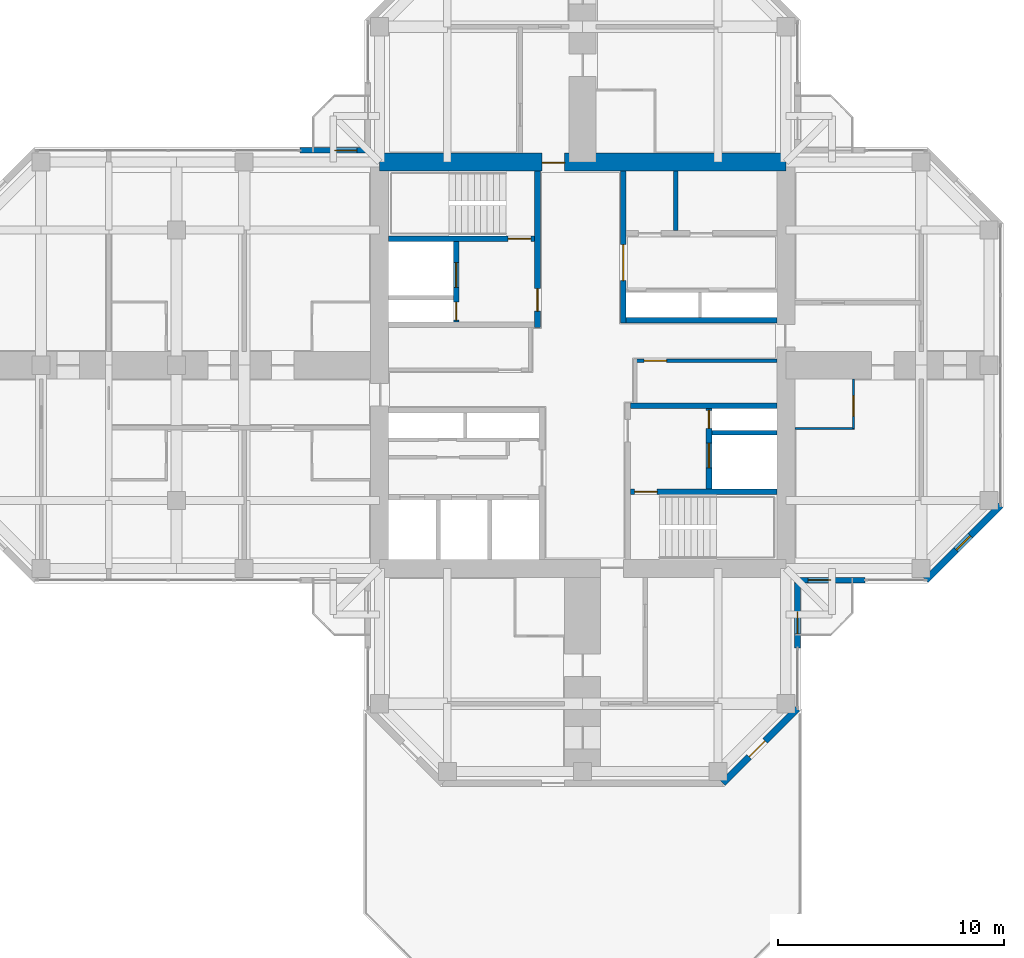
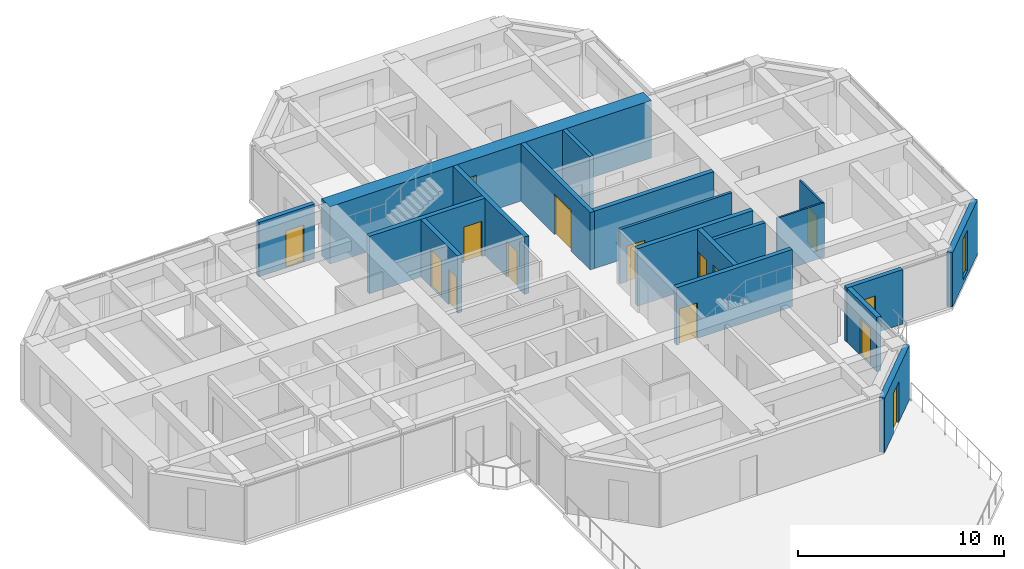
# One storey, part 10 of 14: 19 walls, 15 doors, 1 window, 16 openings.
"""IFC4 building model written with IfcOpenShell, lengths in metres."""

import ifcopenshell
import ifcopenshell.guid

model = None  # the IFC model being written
_history = None  # IfcOwnerHistory: only IFC2X3 demands one
_inside = {}  # id of a spatial element -> (the spatial element, [elements in it])
_under = {}  # id of a project, library or spatial element -> (it, [spatial elements below it])
_declared = {}  # id of a project -> (the project, [libraries it declares])
_typed = {}  # id of a type object -> (the type object, [elements of that type])
_made_of = {}  # id of a material, layer set ... -> (it, [elements and type objects made of it])


def new_model(schema):
    """Start an empty IFC model of exactly this schema.

    Asked for "IFC4X3", IfcOpenShell would pick the latest addendum, in which some entities
    have other attributes; the version numbers below select the first issue.
    IFC2X3 requires an IfcOwnerHistory on every rooted entity: one is made here for all.
    """
    global model, _history
    if schema == "IFC4X3":
        model = ifcopenshell.file(schema_version=(4, 3, 0, 0))
    else:
        model = ifcopenshell.file(schema=schema)
    _inside.clear()
    _under.clear()
    _declared.clear()
    _typed.clear()
    _made_of.clear()
    _history = None
    if model.schema == "IFC2X3":
        org = make("IfcOrganization", Name="unknown")
        user = make(
            "IfcPersonAndOrganization",
            ThePerson=make("IfcPerson", FamilyName="unknown"),
            TheOrganization=org,
        )
        app = make(
            "IfcApplication",
            ApplicationDeveloper=org,
            Version="unknown",
            ApplicationFullName="unknown",
            ApplicationIdentifier="unknown",
        )
        _history = make(
            "IfcOwnerHistory",
            OwningUser=user,
            OwningApplication=app,
            ChangeAction="ADDED",
            CreationDate=0,
        )
    return model


def make(cls, **values):
    """One entity of the class cls with the attributes given. An attribute that is None is left unset."""
    return model.create_entity(
        cls, **{name: value for name, value in values.items() if value is not None}
    )


def rooted(cls, **values):
    """An entity with a GlobalId (a new one), such as an element, a storey or a relation."""
    return make(cls, GlobalId=ifcopenshell.guid.new(), OwnerHistory=_history, **values)


def si_unit(unit_type, name, prefix=None):
    """IfcSIUnit, for example si_unit("LENGTHUNIT", "METRE", prefix="MILLI")."""
    return make("IfcSIUnit", UnitType=unit_type, Prefix=prefix, Name=name)


def assignment(units):
    """IfcUnitAssignment: the units of a project."""
    return None if units is None else make("IfcUnitAssignment", Units=units)


def point(xyz):
    """IfcCartesianPoint."""
    return None if xyz is None else make("IfcCartesianPoint", Coordinates=xyz)


def direction(xyz):
    """IfcDirection."""
    return None if xyz is None else make("IfcDirection", DirectionRatios=xyz)


def frame(location, z_axis=None, x_axis=None):
    """IfcAxis2Placement3D, a coordinate frame: its origin and axes. An axis left out is left unset."""
    return make(
        "IfcAxis2Placement3D",
        Location=point(location),
        Axis=direction(z_axis),
        RefDirection=direction(x_axis),
    )


def frame_2d(location, x_axis=None):
    """IfcAxis2Placement2D, a coordinate frame in the plane: its origin and x axis."""
    return make(
        "IfcAxis2Placement2D", Location=point(location), RefDirection=direction(x_axis)
    )


def origin():
    """The frame at (0, 0, 0) with its axes left unset."""
    return frame((0.0, 0.0, 0.0))


def place(relative_to, where):
    """IfcLocalPlacement: puts the frame where relative to a parent placement (None: the world)."""
    return make(
        "IfcLocalPlacement", PlacementRelTo=relative_to, RelativePlacement=where
    )


def context(
    kind, dimensions, precision=None, world=None, true_north=None, identifier=None
):
    """IfcGeometricRepresentationContext, for example the 3D "Model" context."""
    return make(
        "IfcGeometricRepresentationContext",
        ContextIdentifier=identifier,
        ContextType=kind,
        CoordinateSpaceDimension=dimensions,
        Precision=precision,
        WorldCoordinateSystem=world,
        TrueNorth=true_north,
    )


def subcontext(parent, identifier, kind, view, scale=None):
    """IfcGeometricRepresentationSubContext, for example "Body" below "Model"."""
    return make(
        "IfcGeometricRepresentationSubContext",
        ContextIdentifier=identifier,
        ContextType=kind,
        ParentContext=parent,
        TargetScale=scale,
        TargetView=view,
    )


def project(units=None, contexts=None):
    """IfcProject with its units and contexts."""
    return rooted(
        "IfcProject",
        Name="project",
        RepresentationContexts=contexts,
        UnitsInContext=assignment(units),
    )


def spatial(cls, under=None, at=None, **own):
    """A site, building, storey or space (cls), placed at a placement, below another one or the project."""
    s = rooted(cls, ObjectPlacement=at, **own)
    if under is not None:
        _under.setdefault(under.id(), (under, []))[1].append(s)
    return s


def profile(cls, at=None, kind="AREA", **sizes):
    """A parametric profile (cls). Its sizes go by their IFC names, for example OverallWidth=200.0."""
    return make(cls, ProfileType=kind, Position=at, **sizes)


def rectangle(**sizes):
    """IfcRectangleProfileDef."""
    return profile("IfcRectangleProfileDef", **sizes)


def hollow_rectangle(**sizes):
    """IfcRectangleHollowProfileDef."""
    return profile("IfcRectangleHollowProfileDef", **sizes)


def extrude(swept, where, along, depth):
    """IfcExtrudedAreaSolid: the profile swept, set in the frame where, extruded along a direction by depth."""
    return make(
        "IfcExtrudedAreaSolid",
        SweptArea=swept,
        Position=where,
        ExtrudedDirection=direction(along),
        Depth=depth,
    )


def shape(context_of_items, identifier, shape_type, items):
    """IfcShapeRepresentation: the items that make up one representation, for example the "Body"."""
    return make(
        "IfcShapeRepresentation",
        ContextOfItems=context_of_items,
        RepresentationIdentifier=identifier,
        RepresentationType=shape_type,
        Items=items,
    )


def material(Name=None, Category=None):
    """IfcMaterial."""
    return make("IfcMaterial", Name=Name, Category=Category)


def layer(
    of_material, thickness, ventilated=None, Name=None, Category=None, Priority=None
):
    """IfcMaterialLayer: one layer of a wall or slab, of a material (None: an air gap)."""
    return make(
        "IfcMaterialLayer",
        Material=of_material,
        LayerThickness=thickness,
        IsVentilated=ventilated,
        Name=Name,
        Category=Category,
        Priority=Priority,
    )


def layer_set(layers, Name=None):
    """IfcMaterialLayerSet."""
    return make("IfcMaterialLayerSet", MaterialLayers=layers, LayerSetName=Name)


def constituent(of_material, Name=None, Category=None, fraction=None):
    """IfcMaterialConstituent: one of the materials an element consists of."""
    return make(
        "IfcMaterialConstituent",
        Name=Name,
        Material=of_material,
        Fraction=fraction,
        Category=Category,
    )


def constituent_set(constituents=None, Name=None):
    """IfcMaterialConstituentSet."""
    return make(
        "IfcMaterialConstituentSet", Name=Name, MaterialConstituents=constituents
    )


def made_of(thing, what):
    """Note that an element or type object is made of a material, layer set ...; save() writes the relation."""
    if what is not None:
        _made_of.setdefault(what.id(), (what, []))[1].append(thing)
    return thing


def type_object(cls, material=None, **own):
    """A type object (cls), such as IfcWallType, which elements share."""
    return made_of(rooted(cls, **own), material)


def element(
    cls,
    number,
    at=None,
    inside=None,
    cuts=None,
    type_object=None,
    material=None,
    context=None,
    identifier="Body",
    shape_type=None,
    held_by="IfcProductDefinitionShape",
    body=None,
    shapes=None,
    **own,
):
    """One element of the class cls, such as IfcWall. Its Tag is "e" and its number.

    at: its placement. inside: the storey or other place that contains it. cuts: it is an
    opening in that element (IfcRelVoidsElement). A single representation is given by context,
    identifier, shape_type and body (its items); several are given by shapes. held_by: the class
    of the entity that holds the representations. save() writes the other relations.
    """
    e = rooted(cls, Tag="e%d" % number, ObjectPlacement=at, **own)
    if body is not None:
        shapes = [shape(context, identifier, shape_type, body)]
    if shapes is not None:
        e.Representation = make(held_by, Representations=shapes)
    if inside is not None:
        _inside.setdefault(inside.id(), (inside, []))[1].append(e)
    if cuts is not None:
        rooted(
            "IfcRelVoidsElement", RelatingBuildingElement=cuts, RelatedOpeningElement=e
        )
    if type_object is not None:
        _typed.setdefault(type_object.id(), (type_object, []))[1].append(e)
    return made_of(e, material)


def fill(opening, filler):
    """IfcRelFillsElement: the door or window that sits in an opening."""
    return rooted(
        "IfcRelFillsElement",
        RelatingOpeningElement=opening,
        RelatedBuildingElement=filler,
    )


def aggregate(whole, parts):
    """IfcRelAggregates: a whole, such as a stair, and the parts it consists of."""
    return rooted("IfcRelAggregates", RelatingObject=whole, RelatedObjects=parts)


def save(model, path):
    """Write the relations noted so far, then the file.

    IfcRelAggregates (storeys below a building ...), IfcRelContainedInSpatialStructure (elements
    in a storey), IfcRelDefinesByType, IfcRelAssociatesMaterial and IfcRelDeclares: one each for
    every whole, place, type object, material and project.
    """
    for whole, parts in _under.values():
        aggregate(whole, parts)
    for where, things in _inside.values():
        rooted(
            "IfcRelContainedInSpatialStructure",
            RelatedElements=things,
            RelatingStructure=where,
        )
    for kind, things in _typed.values():
        rooted("IfcRelDefinesByType", RelatedObjects=things, RelatingType=kind)
    for what, things in _made_of.values():
        rooted("IfcRelAssociatesMaterial", RelatedObjects=things, RelatingMaterial=what)
    for by, libraries in _declared.values():
        rooted("IfcRelDeclares", RelatingContext=by, RelatedDefinitions=libraries)
    model.write(path)


model = new_model("IFC4")

# Units and contexts
model_context = context("Model", 3, precision=1e-05, world=origin(), true_north=direction((0.0, 1.0)))
body_context = subcontext(model_context, "Body", "Model", "MODEL_VIEW")
ifc_project = project(units=[si_unit("LENGTHUNIT", "METRE"), si_unit("AREAUNIT", "SQUARE_METRE"), si_unit("VOLUMEUNIT", "CUBIC_METRE"), si_unit("PLANEANGLEUNIT", "RADIAN"), si_unit("MASSUNIT", "GRAM", prefix="KILO")], contexts=[model_context])

# Site, building, storey
site_placement = place(None, origin())
site = spatial("IfcSite", under=ifc_project, at=site_placement, CompositionType="ELEMENT")
building_placement = place(site_placement, origin())
building = spatial("IfcBuilding", under=site, at=building_placement, Name="Torre Cruceta", CompositionType="ELEMENT")
storey_placement = place(building_placement, frame((0.0, 0.0, 222.10009765625)))
storey = spatial("IfcBuildingStorey", under=building, at=storey_placement, Name="L56", CompositionType="ELEMENT", Elevation=222.10009765625)

# Wall
ifc_material_1 = material(Name="Water-resistant plasterboard on steel studs", Category="steel")
ifc_layer_1 = layer(ifc_material_1, 0.10009765625)
ifc_layer_set_1 = layer_set([ifc_layer_1], Name="Water-resistant plasterboard on steel studs")
wall_type_1 = type_object("IfcWallType", Name="BATHROOM WALL 100", PredefinedType="PARTITIONING", material=ifc_layer_set_1)
wall_1_placement = place(storey_placement, frame((9.39990234375, -2.800048828125, 0.0), z_axis=(0.0, 0.0, 1.0), x_axis=(1.0, 0.0, 0.0)))
element("IfcWall", 1, at=wall_1_placement, inside=storey, type_object=wall_type_1, Name="PT4 L56-E-U1RBB", PredefinedType="PARTITIONING", context=body_context, shape_type="SweptSolid", body=[
    extrude(rectangle(XDim=2.650146484375, YDim=0.10009765625, at=frame_2d((1.3251953125, 0.0))), origin(), (0.0, 0.0, 1.0), 3.219970703125),
])

# Wall, opening, door
wall_2_placement = place(storey_placement, frame((12.0, -2.800048828125, 0.0), z_axis=(0.0, 0.0, 1.0), x_axis=(0.0, 1.0, 0.0)))
wall_2 = element("IfcWall", 2, at=wall_2_placement, inside=storey, type_object=wall_type_1, Name="PT4 L56-E-U1RBS", PredefinedType="PARTITIONING", context=body_context, shape_type="SweptSolid", body=[
    extrude(rectangle(XDim=2.199951171875, YDim=0.10009765625, at=frame_2d((1.10009765625, 0.0))), origin(), (0.0, 0.0, 1.0), 3.219970703125),
])
opening_1_placement = place(wall_2_placement, frame((0.550048828125, 0.0, 0.0)))
opening_1 = element("IfcOpeningElement", 3, at=opening_1_placement, cuts=wall_2, Name="Opening D7", PredefinedType="OPENING", context=body_context, shape_type="SweptSolid", body=[
    extrude(rectangle(XDim=0.89990234375, YDim=2.10009765625, at=frame_2d((0.449951171875, 1.050048828125))), frame((0.0, 0.06005859375, 0.0), z_axis=(0.0, -1.0, 0.0), x_axis=(1.0, 0.0, 0.0)), (0.0, 0.0, 1.0), 0.1201171875),
])
ifc_material_2 = material(Name="Timber door", Category="wood")
door_type_1 = type_object("IfcDoorType", Name="BATHROOM DOOR 900X2100", OperationType="SINGLE_SWING_LEFT", PredefinedType="DOOR", material=ifc_material_2)
door_1_placement = place(opening_1_placement, origin())
door_1 = element("IfcDoor", 4, at=door_1_placement, inside=storey, type_object=door_type_1, Name="D7 L56-E-U1RBS-D1", OperationType="SINGLE_SWING_LEFT", OverallHeight=2.10009765625, OverallWidth=0.89990234375, PredefinedType="DOOR", context=body_context, shape_type="SweptSolid", body=[
    extrude(rectangle(XDim=0.89990234375, YDim=2.10009765625, at=frame_2d((0.449951171875, 1.050048828125))), frame((0.0, 0.02490234375, 0.0), z_axis=(0.0, -1.0, 0.0), x_axis=(1.0, 0.0, 0.0)), (0.0, 0.0, 1.0), 0.050048828125),
])
fill(opening_1, door_1)

ifc_material_3 = material(Name="Concrete G60 (fck 60 MPa)", Category="concrete")
ifc_layer_2 = layer(ifc_material_3, 0.25)
ifc_layer_set_2 = layer_set([ifc_layer_2], Name="Concrete G60 (fck 60 MPa)")
wall_type_2 = type_object("IfcWallType", Name="CORE INNER WALL 250 G60", PredefinedType="SHEAR", material=ifc_layer_set_2)
wall_3_placement = place(storey_placement, frame((1.800048828125, 1.875, 0.0), z_axis=(0.0, 0.0, 1.0), x_axis=(0.0, 1.0, 0.0)))
wall_3 = element("IfcWall", 5, at=wall_3_placement, inside=storey, type_object=wall_type_2, Name="CW4 L56 NE-CU", PredefinedType="SHEAR", context=body_context, shape_type="SweptSolid", body=[
    extrude(rectangle(XDim=6.72509765625, YDim=0.25, at=frame_2d((3.362548828125, 0.0))), origin(), (0.0, 0.0, 1.0), 3.39990234375),
])
opening_2_placement = place(wall_3_placement, frame((1.875, 0.0, 0.0)))
opening_2 = element("IfcOpeningElement", 6, at=opening_2_placement, cuts=wall_3, Name="Opening D15", PredefinedType="OPENING", context=body_context, shape_type="SweptSolid", body=[
    extrude(rectangle(XDim=1.60009765625, YDim=2.39990234375, at=frame_2d((0.800048828125, 1.199951171875))), frame((0.0, 0.135009765625, 0.0), z_axis=(0.0, -1.0, 0.0), x_axis=(1.0, 0.0, 0.0)), (0.0, 0.0, 1.0), 0.27001953125),
])
ifc_material_4 = material(Name="Steel DX51D", Category="steel")
ifc_constituent_1 = constituent(ifc_material_4, Name="Leaf and frame")
ifc_material_5 = material(Name="Polyester powder coating", Category="paint")
ifc_constituent_2 = constituent(ifc_material_5, Name="Finish")
ifc_constituent_set_1 = constituent_set(constituents=[ifc_constituent_1, ifc_constituent_2], Name="Steel fire door")
door_type_2 = type_object("IfcDoorType", Name="CORE ROOM DOUBLE DOOR 1600X2400", OperationType="DOUBLE_DOOR_SINGLE_SWING", PredefinedType="DOOR", material=ifc_constituent_set_1)
door_2_placement = place(opening_2_placement, frame((1.60009765625, 0.0, 0.0), z_axis=(0.0, 0.0, 1.0), x_axis=(-1.0, 0.0, 0.0)))
door_2 = element("IfcDoor", 7, at=door_2_placement, inside=storey, type_object=door_type_2, Name="D15 L56 NE-LOBBY", OperationType="DOUBLE_DOOR_SINGLE_SWING", OverallHeight=2.39990234375, OverallWidth=1.60009765625, PredefinedType="DOOR", context=body_context, shape_type="SweptSolid", body=[
    extrude(rectangle(XDim=1.60009765625, YDim=2.39990234375, at=frame_2d((0.800048828125, 1.199951171875))), frame((0.0, 0.025146484375, 0.0), z_axis=(0.0, -1.0, 0.0), x_axis=(1.0, 0.0, 0.0)), (0.0, 0.0, 1.0), 0.050048828125),
])
fill(opening_2, door_2)

# Wall
wall_4_placement = place(storey_placement, frame((1.925048828125, 2.0, 0.0), z_axis=(0.0, 0.0, 1.0), x_axis=(1.0, 0.0, 0.0)))
element("IfcWall", 8, at=wall_4_placement, inside=storey, type_object=wall_type_2, Name="CW4 L56 NE-CV", PredefinedType="SHEAR", context=body_context, shape_type="SweptSolid", body=[
    extrude(rectangle(XDim=6.675048828125, YDim=0.25, at=frame_2d((3.33740234375, 0.0))), origin(), (0.0, 0.0, 1.0), 3.39990234375),
])

# Wall, opening, door
wall_5_placement = place(storey_placement, frame((-2.0, 1.675048828125, 0.0), z_axis=(0.0, 0.0, 1.0), x_axis=(0.0, 1.0, 0.0)))
wall_5 = element("IfcWall", 9, at=wall_5_placement, inside=storey, type_object=wall_type_2, Name="CW4 L56 NW-CU", PredefinedType="SHEAR", context=body_context, shape_type="SweptSolid", body=[
    extrude(rectangle(XDim=6.925048828125, YDim=0.25, at=frame_2d((3.46240234375, 0.0))), origin(), (0.0, 0.0, 1.0), 3.39990234375),
])
opening_3_placement = place(wall_5_placement, frame((0.72509765625, 0.0, 0.0)))
opening_3 = element("IfcOpeningElement", 10, at=opening_3_placement, cuts=wall_5, Name="Opening D3", PredefinedType="OPENING", context=body_context, shape_type="SweptSolid", body=[
    extrude(rectangle(XDim=1.0, YDim=2.10009765625, at=frame_2d((0.5, 1.050048828125))), frame((0.0, 0.135009765625, 0.0), z_axis=(0.0, -1.0, 0.0), x_axis=(1.0, 0.0, 0.0)), (0.0, 0.0, 1.0), 0.27001953125),
])
ifc_material_6 = material(Name="Steel DX51D", Category="steel")
ifc_constituent_3 = constituent(ifc_material_6, Name="Leaf and frame")
ifc_material_7 = material(Name="Polyester powder coating", Category="paint")
ifc_constituent_4 = constituent(ifc_material_7, Name="Finish")
ifc_constituent_set_2 = constituent_set(constituents=[ifc_constituent_3, ifc_constituent_4], Name="Steel fire door")
door_type_3 = type_object("IfcDoorType", Name="FIRE DOOR 1000X2100", OperationType="SINGLE_SWING_LEFT", PredefinedType="DOOR", material=ifc_constituent_set_2)
door_3_placement = place(opening_3_placement, origin())
door_3 = element("IfcDoor", 11, at=door_3_placement, inside=storey, type_object=door_type_3, Name="D3 L56 NW-LOBBY", OperationType="SINGLE_SWING_LEFT", OverallHeight=2.10009765625, OverallWidth=1.0, PredefinedType="DOOR", context=body_context, shape_type="SweptSolid", body=[
    extrude(rectangle(XDim=1.0, YDim=2.10009765625, at=frame_2d((0.5, 1.050048828125))), frame((0.0, 0.02490234375, 0.0), z_axis=(0.0, -1.0, 0.0), x_axis=(1.0, 0.0, 0.0)), (0.0, 0.0, 1.0), 0.050048828125),
])
fill(opening_3, door_3)

wall_6_placement = place(storey_placement, frame((-2.125, 5.60009765625, 0.0), z_axis=(0.0, 0.0, 1.0), x_axis=(-1.0, 0.0, 0.0)))
wall_6 = element("IfcWall", 12, at=wall_6_placement, inside=storey, type_object=wall_type_2, Name="CW4 L56 NW-SV", PredefinedType="SHEAR", context=body_context, shape_type="SweptSolid", body=[
    extrude(rectangle(XDim=6.47509765625, YDim=0.25, at=frame_2d((3.237548828125, 0.0))), origin(), (0.0, 0.0, 1.0), 3.39990234375),
])
opening_4_placement = place(wall_6_placement, frame((0.175048828125, 0.0, 0.0)))
opening_4 = element("IfcOpeningElement", 13, at=opening_4_placement, cuts=wall_6, Name="Opening D3", PredefinedType="OPENING", context=body_context, shape_type="SweptSolid", body=[
    extrude(rectangle(XDim=1.0, YDim=2.10009765625, at=frame_2d((0.5, 1.050048828125))), frame((0.0, 0.135009765625, 0.0), z_axis=(0.0, -1.0, 0.0), x_axis=(1.0, 0.0, 0.0)), (0.0, 0.0, 1.0), 0.27001953125),
])
door_4_placement = place(opening_4_placement, frame((1.0, 0.0, 0.0), z_axis=(0.0, 0.0, 1.0), x_axis=(-1.0, 0.0, 0.0)))
door_4 = element("IfcDoor", 14, at=door_4_placement, inside=storey, type_object=door_type_3, Name="D3 L56 NW-STAIR", OperationType="SINGLE_SWING_RIGHT", OverallHeight=2.10009765625, OverallWidth=1.0, PredefinedType="DOOR", context=body_context, shape_type="SweptSolid", body=[
    extrude(rectangle(XDim=1.0, YDim=2.10009765625, at=frame_2d((0.5, 1.050048828125))), frame((0.0, 0.025146484375, 0.0), z_axis=(0.0, -1.0, 0.0), x_axis=(1.0, 0.0, 0.0)), (0.0, 0.0, 1.0), 0.050048828125),
])
fill(opening_4, door_4)

# Wall, openings, doors
wall_7_placement = place(storey_placement, frame((-5.60009765625, 1.925048828125, 0.0), z_axis=(0.0, 0.0, 1.0), x_axis=(0.0, 1.0, 0.0)))
wall_7 = element("IfcWall", 15, at=wall_7_placement, inside=storey, type_object=wall_type_2, Name="CW4 L56 NW-FU", PredefinedType="SHEAR", context=body_context, shape_type="SweptSolid", body=[
    extrude(rectangle(XDim=3.550048828125, YDim=0.25, at=frame_2d((1.77490234375, 0.0))), origin(), (0.0, 0.0, 1.0), 3.39990234375),
])
opening_5_placement = place(wall_7_placement, frame((1.52490234375, 0.0, 0.0)))
opening_5 = element("IfcOpeningElement", 16, at=opening_5_placement, cuts=wall_7, Name="Opening LD1", PredefinedType="OPENING", context=body_context, shape_type="SweptSolid", body=[
    extrude(rectangle(XDim=1.10009765625, YDim=2.199951171875, at=frame_2d((0.550048828125, 1.10009765625))), frame((0.0, 0.135009765625, 0.0), z_axis=(0.0, -1.0, 0.0), x_axis=(1.0, 0.0, 0.0)), (0.0, 0.0, 1.0), 0.27001953125),
])
opening_6_placement = place(wall_7_placement, frame((0.074951171875, 0.0, 0.0)))
opening_6 = element("IfcOpeningElement", 17, at=opening_6_placement, cuts=wall_7, Name="Opening D5", PredefinedType="OPENING", context=body_context, shape_type="SweptSolid", body=[
    extrude(rectangle(XDim=0.800048828125, YDim=2.10009765625, at=frame_2d((0.39990234375, 1.050048828125))), frame((0.0, 0.135009765625, 0.0), z_axis=(0.0, -1.0, 0.0), x_axis=(1.0, 0.0, 0.0)), (0.0, 0.0, 1.0), 0.27001953125),
])
ifc_material_8 = material(Name="Stainless steel 1.4401", Category="steel")
door_type_4 = type_object("IfcDoorType", Name="LIFT LANDING DOOR 1100X2200", OperationType="DOUBLE_DOOR_SLIDING", PredefinedType="DOOR", material=ifc_material_8)
door_5_placement = place(opening_5_placement, origin())
door_5 = element("IfcDoor", 18, at=door_5_placement, inside=storey, type_object=door_type_4, Name="Lift landing door FL1", OperationType="DOUBLE_DOOR_SLIDING", OverallHeight=2.199951171875, OverallWidth=1.10009765625, PredefinedType="DOOR", context=body_context, shape_type="SweptSolid", body=[
    extrude(rectangle(XDim=1.10009765625, YDim=2.199951171875, at=frame_2d((0.550048828125, 1.10009765625))), frame((0.0, 0.02490234375, 0.0), z_axis=(0.0, -1.0, 0.0), x_axis=(1.0, 0.0, 0.0)), (0.0, 0.0, 1.0), 0.050048828125),
])
fill(opening_5, door_5)
ifc_material_9 = material(Name="Steel DX51D", Category="steel")
ifc_constituent_5 = constituent(ifc_material_9, Name="Leaf and frame")
ifc_material_10 = material(Name="Polyester powder coating", Category="paint")
ifc_constituent_6 = constituent(ifc_material_10, Name="Finish")
ifc_constituent_set_3 = constituent_set(constituents=[ifc_constituent_5, ifc_constituent_6], Name="Steel fire door")
door_type_5 = type_object("IfcDoorType", Name="RISER ACCESS DOOR 800X2100", OperationType="SINGLE_SWING_LEFT", PredefinedType="DOOR", material=ifc_constituent_set_3)
door_6_placement = place(opening_6_placement, origin())
door_6 = element("IfcDoor", 19, at=door_6_placement, inside=storey, type_object=door_type_5, Name="D5 L56 NW-RISER", OperationType="SINGLE_SWING_LEFT", OverallHeight=2.10009765625, OverallWidth=0.800048828125, PredefinedType="DOOR", context=body_context, shape_type="SweptSolid", body=[
    extrude(rectangle(XDim=0.800048828125, YDim=2.10009765625, at=frame_2d((0.39990234375, 1.050048828125))), frame((0.0, 0.02490234375, 0.0), z_axis=(0.0, -1.0, 0.0), x_axis=(1.0, 0.0, 0.0)), (0.0, 0.0, 1.0), 0.050048828125),
])
fill(opening_6, door_6)

# Wall
wall_8_placement = place(storey_placement, frame((2.125, -1.800048828125, 0.0), z_axis=(0.0, 0.0, 1.0), x_axis=(1.0, 0.0, 0.0)))
element("IfcWall", 20, at=wall_8_placement, inside=storey, type_object=wall_type_2, Name="CW4 L56 SE-CV", PredefinedType="SHEAR", context=body_context, shape_type="SweptSolid", body=[
    extrude(rectangle(XDim=6.47509765625, YDim=0.25, at=frame_2d((3.237548828125, 0.0))), origin(), (0.0, 0.0, 1.0), 3.39990234375),
])

# Wall, opening, door
wall_9_placement = place(storey_placement, frame((2.125, -5.60009765625, 0.0), z_axis=(0.0, 0.0, 1.0), x_axis=(1.0, 0.0, 0.0)))
wall_9 = element("IfcWall", 21, at=wall_9_placement, inside=storey, type_object=wall_type_2, Name="CW4 L56 SE-SV", PredefinedType="SHEAR", context=body_context, shape_type="SweptSolid", body=[
    extrude(rectangle(XDim=6.47509765625, YDim=0.25, at=frame_2d((3.237548828125, 0.0))), origin(), (0.0, 0.0, 1.0), 3.39990234375),
])
opening_7_placement = place(wall_9_placement, frame((0.175048828125, 0.0, 0.0)))
opening_7 = element("IfcOpeningElement", 22, at=opening_7_placement, cuts=wall_9, Name="Opening D3", PredefinedType="OPENING", context=body_context, shape_type="SweptSolid", body=[
    extrude(rectangle(XDim=1.0, YDim=2.10009765625, at=frame_2d((0.5, 1.050048828125))), frame((0.0, 0.135009765625, 0.0), z_axis=(0.0, -1.0, 0.0), x_axis=(1.0, 0.0, 0.0)), (0.0, 0.0, 1.0), 0.27001953125),
])
door_7_placement = place(opening_7_placement, frame((1.0, 0.0, 0.0), z_axis=(0.0, 0.0, 1.0), x_axis=(-1.0, 0.0, 0.0)))
door_7 = element("IfcDoor", 23, at=door_7_placement, inside=storey, type_object=door_type_3, Name="D3 L56 SE-STAIR", OperationType="SINGLE_SWING_RIGHT", OverallHeight=2.10009765625, OverallWidth=1.0, PredefinedType="DOOR", context=body_context, shape_type="SweptSolid", body=[
    extrude(rectangle(XDim=1.0, YDim=2.10009765625, at=frame_2d((0.5, 1.050048828125))), frame((0.0, 0.025146484375, 0.0), z_axis=(0.0, -1.0, 0.0), x_axis=(1.0, 0.0, 0.0)), (0.0, 0.0, 1.0), 0.050048828125),
])
fill(opening_7, door_7)

# Wall, openings, doors
wall_10_placement = place(storey_placement, frame((5.60009765625, -1.925048828125, 0.0), z_axis=(0.0, 0.0, 1.0), x_axis=(0.0, -1.0, 0.0)))
wall_10 = element("IfcWall", 24, at=wall_10_placement, inside=storey, type_object=wall_type_2, Name="CW4 L56 SE-FU", PredefinedType="SHEAR", context=body_context, shape_type="SweptSolid", body=[
    extrude(rectangle(XDim=3.550048828125, YDim=0.25, at=frame_2d((1.77490234375, 0.0))), origin(), (0.0, 0.0, 1.0), 3.39990234375),
])
opening_8_placement = place(wall_10_placement, frame((1.52490234375, 0.0, 0.0)))
opening_8 = element("IfcOpeningElement", 25, at=opening_8_placement, cuts=wall_10, Name="Opening LD1", PredefinedType="OPENING", context=body_context, shape_type="SweptSolid", body=[
    extrude(rectangle(XDim=1.10009765625, YDim=2.199951171875, at=frame_2d((0.550048828125, 1.10009765625))), frame((0.0, 0.135009765625, 0.0), z_axis=(0.0, -1.0, 0.0), x_axis=(1.0, 0.0, 0.0)), (0.0, 0.0, 1.0), 0.27001953125),
])
opening_9_placement = place(wall_10_placement, frame((0.074951171875, 0.0, 0.0)))
opening_9 = element("IfcOpeningElement", 26, at=opening_9_placement, cuts=wall_10, Name="Opening D5", PredefinedType="OPENING", context=body_context, shape_type="SweptSolid", body=[
    extrude(rectangle(XDim=0.800048828125, YDim=2.10009765625, at=frame_2d((0.39990234375, 1.050048828125))), frame((0.0, 0.135009765625, 0.0), z_axis=(0.0, -1.0, 0.0), x_axis=(1.0, 0.0, 0.0)), (0.0, 0.0, 1.0), 0.27001953125),
])
door_8_placement = place(opening_8_placement, origin())
door_8 = element("IfcDoor", 27, at=door_8_placement, inside=storey, type_object=door_type_4, Name="Lift landing door FL2", OperationType="DOUBLE_DOOR_SLIDING", OverallHeight=2.199951171875, OverallWidth=1.10009765625, PredefinedType="DOOR", context=body_context, shape_type="SweptSolid", body=[
    extrude(rectangle(XDim=1.10009765625, YDim=2.199951171875, at=frame_2d((0.550048828125, 1.10009765625))), frame((0.0, 0.02490234375, 0.0), z_axis=(0.0, -1.0, 0.0), x_axis=(1.0, 0.0, 0.0)), (0.0, 0.0, 1.0), 0.050048828125),
])
fill(opening_8, door_8)
door_9_placement = place(opening_9_placement, origin())
door_9 = element("IfcDoor", 28, at=door_9_placement, inside=storey, type_object=door_type_5, Name="D5 L56 SE-RISER", OperationType="SINGLE_SWING_LEFT", OverallHeight=2.10009765625, OverallWidth=0.800048828125, PredefinedType="DOOR", context=body_context, shape_type="SweptSolid", body=[
    extrude(rectangle(XDim=0.800048828125, YDim=2.10009765625, at=frame_2d((0.39990234375, 1.050048828125))), frame((0.0, 0.02490234375, 0.0), z_axis=(0.0, -1.0, 0.0), x_axis=(1.0, 0.0, 0.0)), (0.0, 0.0, 1.0), 0.050048828125),
])
fill(opening_9, door_9)

# Wall, opening, door
ifc_material_11 = material(Name="Concrete G60 (fck 60 MPa)", Category="concrete")
ifc_layer_3 = layer(ifc_material_11, 0.800048828125)
ifc_layer_set_3 = layer_set([ifc_layer_3], Name="Concrete G60 (fck 60 MPa)")
wall_type_3 = type_object("IfcWallType", Name="CORE WALL 800 G60", PredefinedType="SHEAR", material=ifc_layer_set_3)
wall_11_placement = place(storey_placement, frame((9.0, 9.0, 0.0), z_axis=(0.0, 0.0, 1.0), x_axis=(-1.0, 0.0, 0.0)))
wall_11 = element("IfcWall", 29, at=wall_11_placement, inside=storey, type_object=wall_type_3, Name="CW3 L56 CW-N", PredefinedType="SHEAR", context=body_context, shape_type="SweptSolid", body=[
    extrude(rectangle(XDim=18.0, YDim=0.800048828125, at=frame_2d((9.0, 0.0))), origin(), (0.0, 0.0, 1.0), 3.39990234375),
])
opening_10_placement = place(wall_11_placement, frame((9.800048828125, 0.0, 0.0)))
opening_10 = element("IfcOpeningElement", 30, at=opening_10_placement, cuts=wall_11, Name="Opening D4", PredefinedType="OPENING", context=body_context, shape_type="SweptSolid", body=[
    extrude(rectangle(XDim=1.0, YDim=2.39990234375, at=frame_2d((0.5, 1.199951171875))), frame((0.0, 0.409912109375, 0.0), z_axis=(0.0, -1.0, 0.0), x_axis=(1.0, 0.0, 0.0)), (0.0, 0.0, 1.0), 0.820068359375),
])
ifc_material_12 = material(Name="Steel DX51D", Category="steel")
ifc_constituent_7 = constituent(ifc_material_12, Name="Leaf and frame")
ifc_material_13 = material(Name="Polyester powder coating", Category="paint")
ifc_constituent_8 = constituent(ifc_material_13, Name="Finish")
ifc_constituent_set_4 = constituent_set(constituents=[ifc_constituent_7, ifc_constituent_8], Name="Steel fire door")
door_type_6 = type_object("IfcDoorType", Name="CORE ARM DOOR 1000X2400", OperationType="SINGLE_SWING_RIGHT", PredefinedType="DOOR", material=ifc_constituent_set_4)
door_10_placement = place(opening_10_placement, origin())
door_10 = element("IfcDoor", 31, at=door_10_placement, inside=storey, type_object=door_type_6, Name="D4 L56 CW-N", OperationType="SINGLE_SWING_RIGHT", OverallHeight=2.39990234375, OverallWidth=1.0, PredefinedType="DOOR", context=body_context, shape_type="SweptSolid", body=[
    extrude(rectangle(XDim=1.0, YDim=2.39990234375, at=frame_2d((0.5, 1.199951171875))), frame((0.0, 0.05517578125, 0.0), z_axis=(0.0, -1.0, 0.0), x_axis=(1.0, 0.0, 0.0)), (0.0, 0.0, 1.0), 0.050048828125),
])
fill(opening_10, door_10)

# Wall, opening, window
ifc_material_14 = material(Name="Concrete G30 (fck 30 MPa)", Category="concrete")
ifc_layer_4 = layer(ifc_material_14, 0.300048828125)
ifc_layer_set_4 = layer_set([ifc_layer_4], Name="Concrete G30 (fck 30 MPa)")
wall_type_4 = type_object("IfcWallType", Name="EXPOSED CONCRETE FACADE WALL 300", PredefinedType="SOLIDWALL", material=ifc_layer_set_4)
wall_12_placement = place(storey_placement, frame((15.21533203125, -9.52001953125, 0.0), z_axis=(0.0, 0.0, 1.0), x_axis=(0.707106781187, 0.707106781187, 0.0)))
wall_12 = element("IfcWall", 32, at=wall_12_placement, inside=storey, type_object=wall_type_4, Name="EW1 facade wall L56 E chamfer 01", PredefinedType="SOLIDWALL", context=body_context, shape_type="SweptSolid", body=[
    extrude(rectangle(XDim=4.673583984375, YDim=0.300048828125, at=frame_2d((2.3369140625, 0.0))), origin(), (0.0, 0.0, 1.0), 3.219970703125),
])
opening_11_placement = place(wall_12_placement, frame((1.88671875, 0.0, 0.300048828125)))
opening_11 = element("IfcOpeningElement", 33, at=opening_11_placement, cuts=wall_12, Name="Opening WN5", PredefinedType="OPENING", context=body_context, shape_type="SweptSolid", body=[
    extrude(rectangle(XDim=0.89990234375, YDim=2.39990234375, at=frame_2d((0.449951171875, 1.199951171875))), frame((0.0, 0.159912109375, 0.0), z_axis=(0.0, -1.0, 0.0), x_axis=(1.0, 0.0, 0.0)), (0.0, 0.0, 1.0), 0.320068359375),
])
ifc_material_15 = material(Name="Aluminium window frame", Category="aluminium")
ifc_constituent_9 = constituent(ifc_material_15, Name="Frame")
ifc_material_16 = material(Name="Laminated insulating glass unit, low-iron clear", Category="glass")
ifc_constituent_10 = constituent(ifc_material_16, Name="Glazing")
ifc_constituent_set_5 = constituent_set(constituents=[ifc_constituent_9, ifc_constituent_10], Name="Aluminium window")
window_type = type_object("IfcWindowType", Name="CHAMFER SLOT WINDOW 900X2400", PartitioningType="SINGLE_PANEL", PredefinedType="WINDOW", material=ifc_constituent_set_5)
window_placement = place(opening_11_placement, origin())
window = element("IfcWindow", 34, at=window_placement, inside=storey, type_object=window_type, Name="WN5 L56 E 1", OverallHeight=2.39990234375, OverallWidth=0.89990234375, PartitioningType="SINGLE_PANEL", PredefinedType="WINDOW", context=body_context, shape_type="SweptSolid", body=[
    extrude(hollow_rectangle(XDim=0.89990234375, YDim=2.39990234375, WallThickness=0.06005859375, at=frame_2d((0.449951171875, 1.199951171875))), frame((0.0, 0.030029296875, 0.0), z_axis=(0.0, -1.0, 0.0), x_axis=(1.0, 0.0, 0.0)), (0.0, 0.0, 1.0), 0.06005859375),
    extrude(rectangle(XDim=0.77880859375, YDim=2.27880859375, at=frame_2d((0.449951171875, 1.199951171875))), frame((0.0, 0.030029296875, 0.0), z_axis=(0.0, -1.0, 0.0), x_axis=(1.0, 0.0, 0.0)), (0.0, 0.0, 1.0), 0.06005859375),
])
fill(opening_11, window)

# Wall, opening, door
wall_13_placement = place(storey_placement, frame((6.21533203125, -18.52001953125, 0.0), z_axis=(0.0, 0.0, 1.0), x_axis=(0.707106781187, 0.707106781187, 0.0)))
wall_13 = element("IfcWall", 35, at=wall_13_placement, inside=storey, type_object=wall_type_4, Name="EW1 facade wall L56 S chamfer 18", PredefinedType="SOLIDWALL", context=body_context, shape_type="SweptSolid", body=[
    extrude(rectangle(XDim=4.673583984375, YDim=0.300048828125, at=frame_2d((2.3369140625, 0.0))), origin(), (0.0, 0.0, 1.0), 3.219970703125),
])
opening_12_placement = place(wall_13_placement, frame((1.64990234375, 0.0, 0.0)))
opening_12 = element("IfcOpeningElement", 36, at=opening_12_placement, cuts=wall_13, Name="Opening D11", PredefinedType="OPENING", context=body_context, shape_type="SweptSolid", body=[
    extrude(rectangle(XDim=1.0, YDim=2.39990234375, at=frame_2d((0.5, 1.199951171875))), frame((0.0, 0.159912109375, 0.0), z_axis=(0.0, -1.0, 0.0), x_axis=(1.0, 0.0, 0.0)), (0.0, 0.0, 1.0), 0.320068359375),
])
ifc_material_17 = material(Name="Aluminium door frame", Category="aluminium")
ifc_constituent_11 = constituent(ifc_material_17, Name="Frame")
ifc_material_18 = material(Name="Laminated safety glass", Category="glass")
ifc_constituent_12 = constituent(ifc_material_18, Name="Glazing")
ifc_constituent_set_6 = constituent_set(constituents=[ifc_constituent_11, ifc_constituent_12], Name="Aluminium glazed door")
door_type_7 = type_object("IfcDoorType", Name="TERRACE DOOR 1000X2400", OperationType="SINGLE_SWING_LEFT", PredefinedType="DOOR", material=ifc_constituent_set_6)
door_11_placement = place(opening_12_placement, origin())
door_11 = element("IfcDoor", 37, at=door_11_placement, inside=storey, type_object=door_type_7, Name="D11 terrace door L56 S", OperationType="SINGLE_SWING_LEFT", OverallHeight=2.39990234375, OverallWidth=1.0, PredefinedType="DOOR", context=body_context, shape_type="SweptSolid", body=[
    extrude(hollow_rectangle(XDim=1.0, YDim=2.39990234375, WallThickness=0.06005859375, at=frame_2d((0.5, 1.199951171875))), frame((0.0, 0.02490234375, 0.0), z_axis=(0.0, -1.0, 0.0), x_axis=(1.0, 0.0, 0.0)), (0.0, 0.0, 1.0), 0.050048828125),
    extrude(rectangle(XDim=0.87890625, YDim=2.27880859375, at=frame_2d((0.5, 1.199951171875))), frame((0.0, 0.02490234375, 0.0), z_axis=(0.0, -1.0, 0.0), x_axis=(1.0, 0.0, 0.0)), (0.0, 0.0, 1.0), 0.050048828125),
])
fill(opening_12, door_11)

# Walls
ifc_material_19 = material(Name="Concrete G35 (fck 35 MPa)", Category="concrete")
ifc_layer_5 = layer(ifc_material_19, 0.199951171875)
ifc_layer_set_5 = layer_set([ifc_layer_5], Name="Concrete G35 (fck 35 MPa)")
wall_type_5 = type_object("IfcWallType", Name="LIFT SHAFT WALL 200", PredefinedType="PARTITIONING", material=ifc_layer_set_5)
wall_14_placement = place(storey_placement, frame((4.11669921875, 5.97509765625, 0.0), z_axis=(0.0, 0.0, 1.0), x_axis=(0.0, 1.0, 0.0)))
element("IfcWall", 38, at=wall_14_placement, inside=storey, type_object=wall_type_5, Name="SW1 L56 NE-LS1", PredefinedType="PARTITIONING", context=body_context, shape_type="SweptSolid", body=[
    extrude(rectangle(XDim=2.625, YDim=0.199951171875, at=frame_2d((1.3125, 0.0))), origin(), (0.0, 0.0, 1.0), 3.39990234375),
])
wall_15_placement = place(storey_placement, frame((5.72509765625, -3.0, 0.0), z_axis=(0.0, 0.0, 1.0), x_axis=(1.0, 0.0, 0.0)))
element("IfcWall", 39, at=wall_15_placement, inside=storey, type_object=wall_type_5, Name="SW1 L56 SE-FR", PredefinedType="PARTITIONING", context=body_context, shape_type="SweptSolid", body=[
    extrude(rectangle(XDim=2.875, YDim=0.199951171875, at=frame_2d((1.4375, 0.0))), origin(), (0.0, 0.0, 1.0), 3.39990234375),
])

# Wall, opening, door
ifc_material_20 = material(Name="Plasterboard on steel studs", Category="steel")
ifc_layer_6 = layer(ifc_material_20, 0.14990234375)
ifc_layer_set_6 = layer_set([ifc_layer_6], Name="Plasterboard on steel studs")
wall_type_6 = type_object("IfcWallType", Name="PARTITION 150", PredefinedType="PARTITIONING", material=ifc_layer_set_6)
wall_16_placement = place(storey_placement, frame((2.324951171875, 0.199951171875, 0.0), z_axis=(0.0, 0.0, 1.0), x_axis=(1.0, 0.0, 0.0)))
wall_16 = element("IfcWall", 40, at=wall_16_placement, inside=storey, type_object=wall_type_6, Name="PT1 L56-CORE-LEGE-S-W1", PredefinedType="PARTITIONING", context=body_context, shape_type="SweptSolid", body=[
    extrude(rectangle(XDim=6.275146484375, YDim=0.14990234375, at=frame_2d((3.1376953125, 0.0))), origin(), (0.0, 0.0, 1.0), 3.219970703125),
])
opening_13_placement = place(wall_16_placement, frame((0.39990234375, 0.0, 0.0)))
opening_13 = element("IfcOpeningElement", 41, at=opening_13_placement, cuts=wall_16, Name="Opening D3", PredefinedType="OPENING", context=body_context, shape_type="SweptSolid", body=[
    extrude(rectangle(XDim=1.0, YDim=2.10009765625, at=frame_2d((0.5, 1.050048828125))), frame((0.0, 0.0849609375, 0.0), z_axis=(0.0, -1.0, 0.0), x_axis=(1.0, 0.0, 0.0)), (0.0, 0.0, 1.0), 0.169921875),
])
door_12_placement = place(opening_13_placement, frame((1.0, 0.0, 0.0), z_axis=(0.0, 0.0, 1.0), x_axis=(-1.0, 0.0, 0.0)))
door_12 = element("IfcDoor", 42, at=door_12_placement, inside=storey, type_object=door_type_3, Name="D3 L56-CORE-LEGE-S-W1-D1", OperationType="SINGLE_SWING_RIGHT", OverallHeight=2.10009765625, OverallWidth=1.0, PredefinedType="DOOR", context=body_context, shape_type="SweptSolid", body=[
    extrude(rectangle(XDim=1.0, YDim=2.10009765625, at=frame_2d((0.5, 1.050048828125))), frame((0.0, 0.025146484375, 0.0), z_axis=(0.0, -1.0, 0.0), x_axis=(1.0, 0.0, 0.0)), (0.0, 0.0, 1.0), 0.050048828125),
])
fill(opening_13, door_12)

ifc_material_21 = material(Name="Concrete G30 (fck 30 MPa)", Category="concrete")
ifc_layer_7 = layer(ifc_material_21, 0.25)
ifc_layer_set_7 = layer_set([ifc_layer_7], Name="Concrete G30 (fck 30 MPa)")
wall_type_7 = type_object("IfcWallType", Name="WINTER GARDEN WALL 250", PredefinedType="SOLIDWALL", material=ifc_layer_set_7)
wall_17_placement = place(storey_placement, frame((9.39501953125, -9.52001953125, 0.0), z_axis=(0.0, 0.0, 1.0), x_axis=(1.0, 0.0, 0.0)))
wall_17 = element("IfcWall", 43, at=wall_17_placement, inside=storey, type_object=wall_type_7, Name="EW2 winter garden wall L56 00", PredefinedType="SOLIDWALL", context=body_context, shape_type="SweptSolid", body=[
    extrude(rectangle(XDim=3.125, YDim=0.25, at=frame_2d((1.5625, 0.0))), origin(), (0.0, 0.0, 1.0), 3.219970703125),
])
opening_14_placement = place(wall_17_placement, frame((0.60009765625, 0.0, 0.0)))
opening_14 = element("IfcOpeningElement", 44, at=opening_14_placement, cuts=wall_17, Name="Opening D10", PredefinedType="OPENING", context=body_context, shape_type="SweptSolid", body=[
    extrude(rectangle(XDim=1.0, YDim=2.199951171875, at=frame_2d((0.5, 1.10009765625))), frame((0.0, 0.135009765625, 0.0), z_axis=(0.0, -1.0, 0.0), x_axis=(1.0, 0.0, 0.0)), (0.0, 0.0, 1.0), 0.27001953125),
])
ifc_material_22 = material(Name="Aluminium door frame", Category="aluminium")
ifc_constituent_13 = constituent(ifc_material_22, Name="Frame")
ifc_material_23 = material(Name="Laminated safety glass", Category="glass")
ifc_constituent_14 = constituent(ifc_material_23, Name="Glazing")
ifc_constituent_set_7 = constituent_set(constituents=[ifc_constituent_13, ifc_constituent_14], Name="Aluminium glazed door")
door_type_8 = type_object("IfcDoorType", Name="BALCONY DOOR 1000X2200", OperationType="SINGLE_SWING_RIGHT", PredefinedType="DOOR", material=ifc_constituent_set_7)
door_13_placement = place(opening_14_placement, origin())
door_13 = element("IfcDoor", 45, at=door_13_placement, inside=storey, type_object=door_type_8, Name="D10 balcony door L56 00", OperationType="SINGLE_SWING_LEFT", OverallHeight=2.199951171875, OverallWidth=1.0, PredefinedType="DOOR", context=body_context, shape_type="SweptSolid", body=[
    extrude(hollow_rectangle(XDim=1.0, YDim=2.199951171875, WallThickness=0.06005859375, at=frame_2d((0.5, 1.10009765625))), frame((0.0, 0.02490234375, 0.0), z_axis=(0.0, -1.0, 0.0), x_axis=(1.0, 0.0, 0.0)), (0.0, 0.0, 1.0), 0.050048828125),
    extrude(rectangle(XDim=0.87890625, YDim=2.078857421875, at=frame_2d((0.5, 1.10009765625))), frame((0.0, 0.02490234375, 0.0), z_axis=(0.0, -1.0, 0.0), x_axis=(1.0, 0.0, 0.0)), (0.0, 0.0, 1.0), 0.050048828125),
])
fill(opening_14, door_13)

wall_18_placement = place(storey_placement, frame((-9.39501953125, 9.52001953125, 0.0), z_axis=(0.0, 0.0, 1.0), x_axis=(-1.0, 0.0, 0.0)))
wall_18 = element("IfcWall", 46, at=wall_18_placement, inside=storey, type_object=wall_type_7, Name="EW2 winter garden wall L56 10", PredefinedType="SOLIDWALL", context=body_context, shape_type="SweptSolid", body=[
    extrude(rectangle(XDim=3.125, YDim=0.25, at=frame_2d((1.5625, 0.0))), origin(), (0.0, 0.0, 1.0), 3.219970703125),
])
opening_15_placement = place(wall_18_placement, frame((0.60009765625, 0.0, 0.0)))
opening_15 = element("IfcOpeningElement", 47, at=opening_15_placement, cuts=wall_18, Name="Opening D10", PredefinedType="OPENING", context=body_context, shape_type="SweptSolid", body=[
    extrude(rectangle(XDim=1.0, YDim=2.199951171875, at=frame_2d((0.5, 1.10009765625))), frame((0.0, 0.135009765625, 0.0), z_axis=(0.0, -1.0, 0.0), x_axis=(1.0, 0.0, 0.0)), (0.0, 0.0, 1.0), 0.27001953125),
])
door_14_placement = place(opening_15_placement, origin())
door_14 = element("IfcDoor", 48, at=door_14_placement, inside=storey, type_object=door_type_8, Name="D10 balcony door L56 10", OperationType="SINGLE_SWING_LEFT", OverallHeight=2.199951171875, OverallWidth=1.0, PredefinedType="DOOR", context=body_context, shape_type="SweptSolid", body=[
    extrude(hollow_rectangle(XDim=1.0, YDim=2.199951171875, WallThickness=0.06005859375, at=frame_2d((0.5, 1.10009765625))), frame((0.0, 0.02490234375, 0.0), z_axis=(0.0, -1.0, 0.0), x_axis=(1.0, 0.0, 0.0)), (0.0, 0.0, 1.0), 0.050048828125),
    extrude(rectangle(XDim=0.87890625, YDim=2.078857421875, at=frame_2d((0.5, 1.10009765625))), frame((0.0, 0.02490234375, 0.0), z_axis=(0.0, -1.0, 0.0), x_axis=(1.0, 0.0, 0.0)), (0.0, 0.0, 1.0), 0.050048828125),
])
fill(opening_15, door_14)

wall_19_placement = place(storey_placement, frame((9.52001953125, -12.52001953125, 0.0), z_axis=(0.0, 0.0, 1.0), x_axis=(0.0, 1.0, 0.0)))
wall_19 = element("IfcWall", 49, at=wall_19_placement, inside=storey, type_object=wall_type_7, Name="EW2 winter garden wall L56 19", PredefinedType="SOLIDWALL", context=body_context, shape_type="SweptSolid", body=[
    extrude(rectangle(XDim=2.875, YDim=0.25, at=frame_2d((1.4375, 0.0))), origin(), (0.0, 0.0, 1.0), 3.219970703125),
])
opening_16_placement = place(wall_19_placement, frame((0.60009765625, 0.0, 0.0)))
opening_16 = element("IfcOpeningElement", 50, at=opening_16_placement, cuts=wall_19, Name="Opening D10", PredefinedType="OPENING", context=body_context, shape_type="SweptSolid", body=[
    extrude(rectangle(XDim=1.0, YDim=2.199951171875, at=frame_2d((0.5, 1.10009765625))), frame((0.0, 0.135009765625, 0.0), z_axis=(0.0, -1.0, 0.0), x_axis=(1.0, 0.0, 0.0)), (0.0, 0.0, 1.0), 0.27001953125),
])
door_15_placement = place(opening_16_placement, origin())
door_15 = element("IfcDoor", 51, at=door_15_placement, inside=storey, type_object=door_type_8, Name="D10 balcony door L56 19", OperationType="SINGLE_SWING_RIGHT", OverallHeight=2.199951171875, OverallWidth=1.0, PredefinedType="DOOR", context=body_context, shape_type="SweptSolid", body=[
    extrude(hollow_rectangle(XDim=1.0, YDim=2.199951171875, WallThickness=0.06005859375, at=frame_2d((0.5, 1.10009765625))), frame((0.0, 0.02490234375, 0.0), z_axis=(0.0, -1.0, 0.0), x_axis=(1.0, 0.0, 0.0)), (0.0, 0.0, 1.0), 0.050048828125),
    extrude(rectangle(XDim=0.87890625, YDim=2.078857421875, at=frame_2d((0.5, 1.10009765625))), frame((0.0, 0.02490234375, 0.0), z_axis=(0.0, -1.0, 0.0), x_axis=(1.0, 0.0, 0.0)), (0.0, 0.0, 1.0), 0.050048828125),
])
fill(opening_16, door_15)

save(model, "model.ifc")
